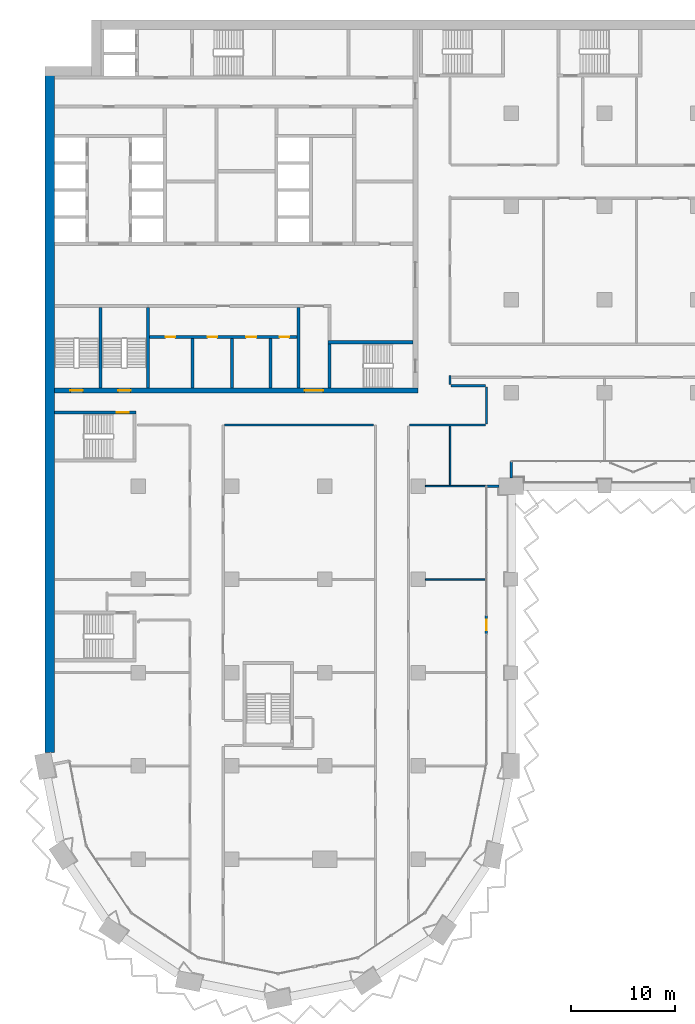
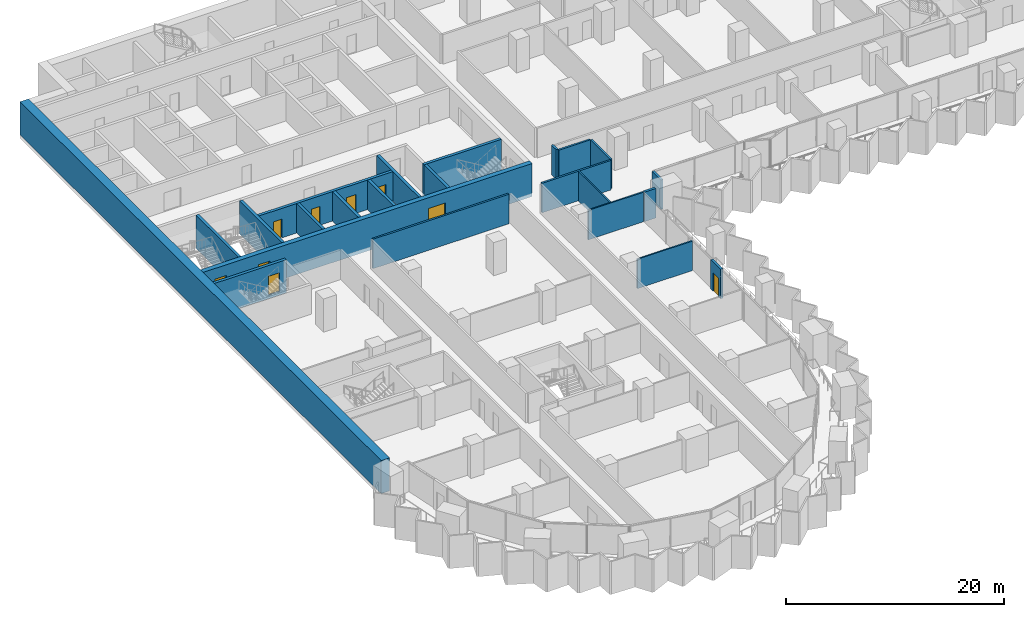
# One storey, part 12 of 28: 23 walls, 9 doors, 9 openings.
"""IFC4 building model written with IfcOpenShell, lengths in metres."""

import ifcopenshell
import ifcopenshell.guid

model = None  # the IFC model being written
_history = None  # IfcOwnerHistory: only IFC2X3 demands one
_inside = {}  # id of a spatial element -> (the spatial element, [elements in it])
_under = {}  # id of a project, library or spatial element -> (it, [spatial elements below it])
_declared = {}  # id of a project -> (the project, [libraries it declares])
_typed = {}  # id of a type object -> (the type object, [elements of that type])
_made_of = {}  # id of a material, layer set ... -> (it, [elements and type objects made of it])


def new_model(schema):
    """Start an empty IFC model of exactly this schema.

    Asked for "IFC4X3", IfcOpenShell would pick the latest addendum, in which some entities
    have other attributes; the version numbers below select the first issue.
    IFC2X3 requires an IfcOwnerHistory on every rooted entity: one is made here for all.
    """
    global model, _history
    if schema == "IFC4X3":
        model = ifcopenshell.file(schema_version=(4, 3, 0, 0))
    else:
        model = ifcopenshell.file(schema=schema)
    _inside.clear()
    _under.clear()
    _declared.clear()
    _typed.clear()
    _made_of.clear()
    _history = None
    if model.schema == "IFC2X3":
        org = make("IfcOrganization", Name="unknown")
        user = make(
            "IfcPersonAndOrganization",
            ThePerson=make("IfcPerson", FamilyName="unknown"),
            TheOrganization=org,
        )
        app = make(
            "IfcApplication",
            ApplicationDeveloper=org,
            Version="unknown",
            ApplicationFullName="unknown",
            ApplicationIdentifier="unknown",
        )
        _history = make(
            "IfcOwnerHistory",
            OwningUser=user,
            OwningApplication=app,
            ChangeAction="ADDED",
            CreationDate=0,
        )
    return model


def make(cls, **values):
    """One entity of the class cls with the attributes given. An attribute that is None is left unset."""
    return model.create_entity(
        cls, **{name: value for name, value in values.items() if value is not None}
    )


def rooted(cls, **values):
    """An entity with a GlobalId (a new one), such as an element, a storey or a relation."""
    return make(cls, GlobalId=ifcopenshell.guid.new(), OwnerHistory=_history, **values)


def si_unit(unit_type, name, prefix=None):
    """IfcSIUnit, for example si_unit("LENGTHUNIT", "METRE", prefix="MILLI")."""
    return make("IfcSIUnit", UnitType=unit_type, Prefix=prefix, Name=name)


def assignment(units):
    """IfcUnitAssignment: the units of a project."""
    return None if units is None else make("IfcUnitAssignment", Units=units)


def point(xyz):
    """IfcCartesianPoint."""
    return None if xyz is None else make("IfcCartesianPoint", Coordinates=xyz)


def direction(xyz):
    """IfcDirection."""
    return None if xyz is None else make("IfcDirection", DirectionRatios=xyz)


def frame(location, z_axis=None, x_axis=None):
    """IfcAxis2Placement3D, a coordinate frame: its origin and axes. An axis left out is left unset."""
    return make(
        "IfcAxis2Placement3D",
        Location=point(location),
        Axis=direction(z_axis),
        RefDirection=direction(x_axis),
    )


def frame_2d(location, x_axis=None):
    """IfcAxis2Placement2D, a coordinate frame in the plane: its origin and x axis."""
    return make(
        "IfcAxis2Placement2D", Location=point(location), RefDirection=direction(x_axis)
    )


def origin():
    """The frame at (0, 0, 0) with its axes left unset."""
    return frame((0.0, 0.0, 0.0))


def place(relative_to, where):
    """IfcLocalPlacement: puts the frame where relative to a parent placement (None: the world)."""
    return make(
        "IfcLocalPlacement", PlacementRelTo=relative_to, RelativePlacement=where
    )


def context(
    kind, dimensions, precision=None, world=None, true_north=None, identifier=None
):
    """IfcGeometricRepresentationContext, for example the 3D "Model" context."""
    return make(
        "IfcGeometricRepresentationContext",
        ContextIdentifier=identifier,
        ContextType=kind,
        CoordinateSpaceDimension=dimensions,
        Precision=precision,
        WorldCoordinateSystem=world,
        TrueNorth=true_north,
    )


def subcontext(parent, identifier, kind, view, scale=None):
    """IfcGeometricRepresentationSubContext, for example "Body" below "Model"."""
    return make(
        "IfcGeometricRepresentationSubContext",
        ContextIdentifier=identifier,
        ContextType=kind,
        ParentContext=parent,
        TargetScale=scale,
        TargetView=view,
    )


def project(units=None, contexts=None):
    """IfcProject with its units and contexts."""
    return rooted(
        "IfcProject",
        Name="project",
        RepresentationContexts=contexts,
        UnitsInContext=assignment(units),
    )


def spatial(cls, under=None, at=None, **own):
    """A site, building, storey or space (cls), placed at a placement, below another one or the project."""
    s = rooted(cls, ObjectPlacement=at, **own)
    if under is not None:
        _under.setdefault(under.id(), (under, []))[1].append(s)
    return s


def profile(cls, at=None, kind="AREA", **sizes):
    """A parametric profile (cls). Its sizes go by their IFC names, for example OverallWidth=200.0."""
    return make(cls, ProfileType=kind, Position=at, **sizes)


def rectangle(**sizes):
    """IfcRectangleProfileDef."""
    return profile("IfcRectangleProfileDef", **sizes)


def extrude(swept, where, along, depth):
    """IfcExtrudedAreaSolid: the profile swept, set in the frame where, extruded along a direction by depth."""
    return make(
        "IfcExtrudedAreaSolid",
        SweptArea=swept,
        Position=where,
        ExtrudedDirection=direction(along),
        Depth=depth,
    )


def shape(context_of_items, identifier, shape_type, items):
    """IfcShapeRepresentation: the items that make up one representation, for example the "Body"."""
    return make(
        "IfcShapeRepresentation",
        ContextOfItems=context_of_items,
        RepresentationIdentifier=identifier,
        RepresentationType=shape_type,
        Items=items,
    )


def material(Name=None, Category=None):
    """IfcMaterial."""
    return make("IfcMaterial", Name=Name, Category=Category)


def layer(
    of_material, thickness, ventilated=None, Name=None, Category=None, Priority=None
):
    """IfcMaterialLayer: one layer of a wall or slab, of a material (None: an air gap)."""
    return make(
        "IfcMaterialLayer",
        Material=of_material,
        LayerThickness=thickness,
        IsVentilated=ventilated,
        Name=Name,
        Category=Category,
        Priority=Priority,
    )


def layer_set(layers, Name=None):
    """IfcMaterialLayerSet."""
    return make("IfcMaterialLayerSet", MaterialLayers=layers, LayerSetName=Name)


def made_of(thing, what):
    """Note that an element or type object is made of a material, layer set ...; save() writes the relation."""
    if what is not None:
        _made_of.setdefault(what.id(), (what, []))[1].append(thing)
    return thing


def type_object(cls, material=None, **own):
    """A type object (cls), such as IfcWallType, which elements share."""
    return made_of(rooted(cls, **own), material)


def element(
    cls,
    number,
    at=None,
    inside=None,
    cuts=None,
    type_object=None,
    material=None,
    context=None,
    identifier="Body",
    shape_type=None,
    held_by="IfcProductDefinitionShape",
    body=None,
    shapes=None,
    **own,
):
    """One element of the class cls, such as IfcWall. Its Tag is "e" and its number.

    at: its placement. inside: the storey or other place that contains it. cuts: it is an
    opening in that element (IfcRelVoidsElement). A single representation is given by context,
    identifier, shape_type and body (its items); several are given by shapes. held_by: the class
    of the entity that holds the representations. save() writes the other relations.
    """
    e = rooted(cls, Tag="e%d" % number, ObjectPlacement=at, **own)
    if body is not None:
        shapes = [shape(context, identifier, shape_type, body)]
    if shapes is not None:
        e.Representation = make(held_by, Representations=shapes)
    if inside is not None:
        _inside.setdefault(inside.id(), (inside, []))[1].append(e)
    if cuts is not None:
        rooted(
            "IfcRelVoidsElement", RelatingBuildingElement=cuts, RelatedOpeningElement=e
        )
    if type_object is not None:
        _typed.setdefault(type_object.id(), (type_object, []))[1].append(e)
    return made_of(e, material)


def fill(opening, filler):
    """IfcRelFillsElement: the door or window that sits in an opening."""
    return rooted(
        "IfcRelFillsElement",
        RelatingOpeningElement=opening,
        RelatedBuildingElement=filler,
    )


def aggregate(whole, parts):
    """IfcRelAggregates: a whole, such as a stair, and the parts it consists of."""
    return rooted("IfcRelAggregates", RelatingObject=whole, RelatedObjects=parts)


def save(model, path):
    """Write the relations noted so far, then the file.

    IfcRelAggregates (storeys below a building ...), IfcRelContainedInSpatialStructure (elements
    in a storey), IfcRelDefinesByType, IfcRelAssociatesMaterial and IfcRelDeclares: one each for
    every whole, place, type object, material and project.
    """
    for whole, parts in _under.values():
        aggregate(whole, parts)
    for where, things in _inside.values():
        rooted(
            "IfcRelContainedInSpatialStructure",
            RelatedElements=things,
            RelatingStructure=where,
        )
    for kind, things in _typed.values():
        rooted("IfcRelDefinesByType", RelatedObjects=things, RelatingType=kind)
    for what, things in _made_of.values():
        rooted("IfcRelAssociatesMaterial", RelatedObjects=things, RelatingMaterial=what)
    for by, libraries in _declared.values():
        rooted("IfcRelDeclares", RelatingContext=by, RelatedDefinitions=libraries)
    model.write(path)


model = new_model("IFC4")

# Units and contexts
model_context = context("Model", 3, precision=1e-05, world=origin(), true_north=direction((0.0, 1.0)))
body_context = subcontext(model_context, "Body", "Model", "MODEL_VIEW")
ifc_project = project(units=[si_unit("LENGTHUNIT", "METRE"), si_unit("AREAUNIT", "SQUARE_METRE"), si_unit("VOLUMEUNIT", "CUBIC_METRE"), si_unit("PLANEANGLEUNIT", "RADIAN"), si_unit("MASSUNIT", "GRAM", prefix="KILO")], contexts=[model_context])

# Site, building, storey
site_placement = place(None, origin())
site = spatial("IfcSite", under=ifc_project, at=site_placement, CompositionType="ELEMENT")
building_placement = place(site_placement, origin())
building = spatial("IfcBuilding", under=site, at=building_placement, Name="Hunhe Ridgeline Campus", CompositionType="ELEMENT")
storey_placement = place(building_placement, frame((0.0, 0.0, 43.199951171875)))
storey = spatial("IfcBuildingStorey", under=building, at=storey_placement, Name="L09", CompositionType="ELEMENT", Elevation=43.199951171875)

# Wall, openings, doors
ifc_material_1 = material(Name="Masonry concrete blockwork", Category="masonry")
ifc_layer_1 = layer(ifc_material_1, 0.300048828125)
ifc_layer_set_1 = layer_set([ifc_layer_1], Name="Core room partition 300 concrete block")
wall_type_1 = type_object("IfcWallType", Name="Core room partition 300 concrete block", PredefinedType="PARTITIONING", material=ifc_layer_set_1)
wall_1_placement = place(storey_placement, frame((10.10009765625, 68.39990234375, 0.0), z_axis=(0.0, 0.0, 1.0), x_axis=(1.0, 0.0, 0.0)))
wall_1 = element("IfcWall", 1, at=wall_1_placement, inside=storey, type_object=wall_type_1, Name="L09 core partition 10", PredefinedType="PARTITIONING", context=body_context, shape_type="SweptSolid", body=[
    extrude(rectangle(XDim=14.199951171875, YDim=0.300048828125, at=frame_2d((7.10009765625, 0.0))), origin(), (0.0, 0.0, 1.0), 3.300048828125),
])
opening_1_placement = place(wall_1_placement, frame((1.550048828125, 0.0, 0.0)))
opening_1 = element("IfcOpeningElement", 2, at=opening_1_placement, cuts=wall_1, Name="Opening CD8", PredefinedType="OPENING", context=body_context, shape_type="SweptSolid", body=[
    extrude(rectangle(XDim=0.89990234375, YDim=2.10009765625, at=frame_2d((0.449951171875, 1.050048828125))), frame((0.0, 0.14990234375, 0.0), z_axis=(0.0, -1.0, 0.0), x_axis=(1.0, 0.0, 0.0)), (0.0, 0.0, 1.0), 0.300048828125),
])
opening_2_placement = place(wall_1_placement, frame((5.60009765625, 0.0, 0.0)))
opening_2 = element("IfcOpeningElement", 3, at=opening_2_placement, cuts=wall_1, Name="Opening CD9", PredefinedType="OPENING", context=body_context, shape_type="SweptSolid", body=[
    extrude(rectangle(XDim=0.89990234375, YDim=2.10009765625, at=frame_2d((0.449951171875, 1.050048828125))), frame((0.0, 0.14990234375, 0.0), z_axis=(0.0, -1.0, 0.0), x_axis=(1.0, 0.0, 0.0)), (0.0, 0.0, 1.0), 0.300048828125),
])
opening_3_placement = place(wall_1_placement, frame((9.300048828125, 0.0, 0.0)))
opening_3 = element("IfcOpeningElement", 4, at=opening_3_placement, cuts=wall_1, Name="Opening CD10", PredefinedType="OPENING", context=body_context, shape_type="SweptSolid", body=[
    extrude(rectangle(XDim=1.0, YDim=2.10009765625, at=frame_2d((0.5, 1.050048828125))), frame((0.0, 0.14990234375, 0.0), z_axis=(0.0, -1.0, 0.0), x_axis=(1.0, 0.0, 0.0)), (0.0, 0.0, 1.0), 0.300048828125),
])
opening_4_placement = place(wall_1_placement, frame((12.550048828125, 0.0, 0.0)))
opening_4 = element("IfcOpeningElement", 5, at=opening_4_placement, cuts=wall_1, Name="Opening CD11", PredefinedType="OPENING", context=body_context, shape_type="SweptSolid", body=[
    extrude(rectangle(XDim=0.89990234375, YDim=2.10009765625, at=frame_2d((0.449951171875, 1.050048828125))), frame((0.0, 0.14990234375, 0.0), z_axis=(0.0, -1.0, 0.0), x_axis=(1.0, 0.0, 0.0)), (0.0, 0.0, 1.0), 0.300048828125),
])
ifc_material_2 = material(Name="Solid core timber door leaf", Category="wood")
door_type_1 = type_object("IfcDoorType", Name="Timber door 1000x2100", OperationType="SINGLE_SWING_LEFT", PredefinedType="DOOR", material=ifc_material_2)
door_1_placement = place(opening_3_placement, frame((1.0, 0.0, 0.0), z_axis=(0.0, 0.0, 1.0), x_axis=(-1.0, 0.0, 0.0)))
door_1 = element("IfcDoor", 6, at=door_1_placement, inside=storey, type_object=door_type_1, Name="L09 door WC3", OperationType="SINGLE_SWING_RIGHT", OverallHeight=2.10009765625, OverallWidth=1.0, PredefinedType="DOOR", context=body_context, shape_type="SweptSolid", body=[
    extrude(rectangle(XDim=1.0, YDim=2.10009765625, at=frame_2d((0.5, 1.050048828125))), frame((0.0, 0.02490234375, 0.0), z_axis=(0.0, -1.0, 0.0), x_axis=(1.0, 0.0, 0.0)), (0.0, 0.0, 1.0), 0.050048828125),
])
fill(opening_3, door_1)
door_type_2 = type_object("IfcDoorType", Name="Timber door 900x2100", OperationType="SINGLE_SWING_LEFT", PredefinedType="DOOR", material=ifc_material_2)
door_2_placement = place(opening_1_placement, frame((0.89990234375, 0.0, 0.0), z_axis=(0.0, 0.0, 1.0), x_axis=(-1.0, 0.0, 0.0)))
door_2 = element("IfcDoor", 7, at=door_2_placement, inside=storey, type_object=door_type_2, Name="L09 door WC1", OperationType="SINGLE_SWING_RIGHT", OverallHeight=2.10009765625, OverallWidth=0.89990234375, PredefinedType="DOOR", context=body_context, shape_type="SweptSolid", body=[
    extrude(rectangle(XDim=0.89990234375, YDim=2.10009765625, at=frame_2d((0.449951171875, 1.050048828125))), frame((0.0, 0.02490234375, 0.0), z_axis=(0.0, -1.0, 0.0), x_axis=(1.0, 0.0, 0.0)), (0.0, 0.0, 1.0), 0.050048828125),
])
fill(opening_1, door_2)
door_3_placement = place(opening_2_placement, frame((0.89990234375, 0.0, 0.0), z_axis=(0.0, 0.0, 1.0), x_axis=(-1.0, 0.0, 0.0)))
door_3 = element("IfcDoor", 8, at=door_3_placement, inside=storey, type_object=door_type_2, Name="L09 door WC2", OperationType="SINGLE_SWING_LEFT", OverallHeight=2.10009765625, OverallWidth=0.89990234375, PredefinedType="DOOR", context=body_context, shape_type="SweptSolid", body=[
    extrude(rectangle(XDim=0.89990234375, YDim=2.10009765625, at=frame_2d((0.449951171875, 1.050048828125))), frame((0.0, 0.02490234375, 0.0), z_axis=(0.0, -1.0, 0.0), x_axis=(1.0, 0.0, 0.0)), (0.0, 0.0, 1.0), 0.050048828125),
])
fill(opening_2, door_3)
door_4_placement = place(opening_4_placement, frame((0.89990234375, 0.0, 0.0), z_axis=(0.0, 0.0, 1.0), x_axis=(-1.0, 0.0, 0.0)))
door_4 = element("IfcDoor", 9, at=door_4_placement, inside=storey, type_object=door_type_2, Name="L09 door WC4", OperationType="SINGLE_SWING_LEFT", OverallHeight=2.10009765625, OverallWidth=0.89990234375, PredefinedType="DOOR", context=body_context, shape_type="SweptSolid", body=[
    extrude(rectangle(XDim=0.89990234375, YDim=2.10009765625, at=frame_2d((0.449951171875, 1.050048828125))), frame((0.0, 0.02490234375, 0.0), z_axis=(0.0, -1.0, 0.0), x_axis=(1.0, 0.0, 0.0)), (0.0, 0.0, 1.0), 0.050048828125),
])
fill(opening_4, door_4)

# Walls
for number, where, z_axis, x_axis, name in (
    (10, (14.25, 63.5, 0.0), (0.0, 0.0, 1.0), (0.0, 1.0, 0.0), "L09 core partition 48"),
    (11, (18.050048828125, 63.5, 0.0), (0.0, 0.0, 1.0), (0.0, 1.0, 0.0), "L09 core partition 50"),
    (12, (21.75, 63.5, 0.0), (0.0, 0.0, 1.0), (0.0, 1.0, 0.0), "L09 core partition 52"),
):
    element("IfcWall", number, at=place(storey_placement, frame(where, z_axis=z_axis, x_axis=x_axis)), inside=storey, type_object=wall_type_1, Name=name, PredefinedType="PARTITIONING", context=body_context, shape_type="SweptSolid", body=[
        extrude(rectangle(XDim=4.75, YDim=0.300048828125, at=frame_2d((2.375, 0.0))), origin(), (0.0, 0.0, 1.0), 3.300048828125),
    ])
wall_2_placement = place(storey_placement, frame((24.449951171875, 63.5, 0.0), z_axis=(0.0, 0.0, 1.0), x_axis=(0.0, 1.0, 0.0)))
element("IfcWall", 13, at=wall_2_placement, inside=storey, type_object=wall_type_1, Name="L09 core partition 57", PredefinedType="PARTITIONING", context=body_context, shape_type="SweptSolid", body=[
    extrude(rectangle(XDim=7.75, YDim=0.300048828125, at=frame_2d((3.875, 0.0))), origin(), (0.0, 0.0, 1.0), 3.300048828125),
])

# Wall, openings, doors
ifc_material_3 = material(Name="Concrete C80", Category="concrete")
ifc_layer_2 = layer(ifc_material_3, 0.5)
ifc_layer_set_2 = layer_set([ifc_layer_2], Name="Core wall 500 reinforced concrete C80")
wall_type_2 = type_object("IfcWallType", Name="Core wall 500 reinforced concrete C80", PredefinedType="SOLIDWALL", material=ifc_layer_set_2)
wall_3_placement = place(storey_placement, frame((0.89990234375, 63.25, -0.39990234375), z_axis=(0.0, 0.0, 1.0), x_axis=(1.0, 0.0, 0.0)))
wall_3 = element("IfcWall", 14, at=wall_3_placement, inside=storey, type_object=wall_type_2, Name="L09 core wall 7", PredefinedType="SOLIDWALL", context=body_context, shape_type="SweptSolid", body=[
    extrude(rectangle(XDim=35.10009765625, YDim=0.5, at=frame_2d((17.550048828125, 0.0))), origin(), (0.0, 0.0, 1.0), 3.699951171875),
])
opening_5_placement = place(wall_3_placement, frame((24.14990234375, 0.0, 0.39990234375)))
opening_5 = element("IfcOpeningElement", 15, at=opening_5_placement, cuts=wall_3, Name="Opening CD6", PredefinedType="OPENING", context=body_context, shape_type="SweptSolid", body=[
    extrude(rectangle(XDim=1.800048828125, YDim=2.10009765625, at=frame_2d((0.89990234375, 1.050048828125))), frame((0.0, 0.25, 0.0), z_axis=(0.0, -1.0, 0.0), x_axis=(1.0, 0.0, 0.0)), (0.0, 0.0, 1.0), 0.5),
])
opening_6_placement = place(wall_3_placement, frame((1.550048828125, 0.0, 0.39990234375)))
opening_6 = element("IfcOpeningElement", 16, at=opening_6_placement, cuts=wall_3, Name="Opening CD13", PredefinedType="OPENING", context=body_context, shape_type="SweptSolid", body=[
    extrude(rectangle(XDim=1.199951171875, YDim=2.10009765625, at=frame_2d((0.60009765625, 1.050048828125))), frame((0.0, 0.25, 0.0), z_axis=(0.0, -1.0, 0.0), x_axis=(1.0, 0.0, 0.0)), (0.0, 0.0, 1.0), 0.5),
])
opening_7_placement = place(wall_3_placement, frame((6.14990234375, 0.0, 0.39990234375)))
opening_7 = element("IfcOpeningElement", 17, at=opening_7_placement, cuts=wall_3, Name="Opening CD14", PredefinedType="OPENING", context=body_context, shape_type="SweptSolid", body=[
    extrude(rectangle(XDim=1.199951171875, YDim=2.10009765625, at=frame_2d((0.60009765625, 1.050048828125))), frame((0.0, 0.25, 0.0), z_axis=(0.0, -1.0, 0.0), x_axis=(1.0, 0.0, 0.0)), (0.0, 0.0, 1.0), 0.5),
])
ifc_material_4 = material(Name="Anodised aluminium and glass", Category="aluminium")
door_type_3 = type_object("IfcDoorType", Name="Glazed double door 1800x2100", OperationType="DOUBLE_DOOR_SINGLE_SWING", PredefinedType="DOOR", material=ifc_material_4)
door_5_placement = place(opening_5_placement, frame((1.800048828125, 0.0, 0.0), z_axis=(0.0, 0.0, 1.0), x_axis=(-1.0, 0.0, 0.0)))
door_5 = element("IfcDoor", 18, at=door_5_placement, inside=storey, type_object=door_type_3, Name="L09 door VEST-FLOOR", OperationType="DOUBLE_DOOR_SINGLE_SWING", OverallHeight=2.10009765625, OverallWidth=1.800048828125, PredefinedType="DOOR", context=body_context, shape_type="SweptSolid", body=[
    extrude(rectangle(XDim=1.800048828125, YDim=2.10009765625, at=frame_2d((0.89990234375, 1.050048828125))), frame((0.0, 0.02490234375, 0.0), z_axis=(0.0, -1.0, 0.0), x_axis=(1.0, 0.0, 0.0)), (0.0, 0.0, 1.0), 0.050048828125),
])
fill(opening_5, door_5)
ifc_material_5 = material(Name="Hollow metal fire door leaf")
door_type_4 = type_object("IfcDoorType", Name="Stair door 1200x2100 FD60", OperationType="SINGLE_SWING_LEFT", PredefinedType="DOOR", material=ifc_material_5)
door_6_placement = place(opening_6_placement, frame((1.199951171875, 0.0, 0.0), z_axis=(0.0, 0.0, 1.0), x_axis=(-1.0, 0.0, 0.0)))
door_6 = element("IfcDoor", 19, at=door_6_placement, inside=storey, type_object=door_type_4, Name="L09 door S3", OperationType="SINGLE_SWING_RIGHT", OverallHeight=2.10009765625, OverallWidth=1.199951171875, PredefinedType="DOOR", context=body_context, shape_type="SweptSolid", body=[
    extrude(rectangle(XDim=1.199951171875, YDim=2.10009765625, at=frame_2d((0.60009765625, 1.050048828125))), frame((0.0, 0.02490234375, 0.0), z_axis=(0.0, -1.0, 0.0), x_axis=(1.0, 0.0, 0.0)), (0.0, 0.0, 1.0), 0.050048828125),
])
fill(opening_6, door_6)
door_7_placement = place(opening_7_placement, frame((1.199951171875, 0.0, 0.0), z_axis=(0.0, 0.0, 1.0), x_axis=(-1.0, 0.0, 0.0)))
door_7 = element("IfcDoor", 20, at=door_7_placement, inside=storey, type_object=door_type_4, Name="L09 door S4", OperationType="SINGLE_SWING_LEFT", OverallHeight=2.10009765625, OverallWidth=1.199951171875, PredefinedType="DOOR", context=body_context, shape_type="SweptSolid", body=[
    extrude(rectangle(XDim=1.199951171875, YDim=2.10009765625, at=frame_2d((0.60009765625, 1.050048828125))), frame((0.0, 0.02490234375, 0.0), z_axis=(0.0, -1.0, 0.0), x_axis=(1.0, 0.0, 0.0)), (0.0, 0.0, 1.0), 0.050048828125),
])
fill(opening_7, door_7)

# Walls
ifc_material_6 = material(Name="Concrete C30", Category="concrete")
ifc_layer_3 = layer(ifc_material_6, 0.25)
ifc_layer_set_3 = layer_set([ifc_layer_3], Name="Corner return wall 250 Concrete C30")
wall_type_3 = type_object("IfcWallType", Name="Corner return wall 250 Concrete C30", PredefinedType="SOLIDWALL", material=ifc_layer_set_3)
wall_4_placement = place(storey_placement, frame((42.59912109375, 54.0, 0.0), z_axis=(0.0, 0.0, 1.0), x_axis=(0.999999917344, 0.000406586671, 0.0)))
element("IfcWall", 21, at=wall_4_placement, inside=storey, type_object=wall_type_3, Name="Corner return wall 2", PredefinedType="SOLIDWALL", context=body_context, shape_type="SweptSolid", body=[
    extrude(rectangle(XDim=1.200927734375, YDim=0.25, at=frame_2d((0.6005859375, 0.0))), origin(), (0.0, 0.0, 1.0), 3.300048828125),
])
wall_5_placement = place(storey_placement, frame((44.999267578125, 54.800048828125, 0.0), z_axis=(0.0, 0.0, 1.0), x_axis=(0.000152508767, 0.999999988371, 0.0)))
element("IfcWall", 22, at=wall_5_placement, inside=storey, type_object=wall_type_3, Name="Corner return wall 3", PredefinedType="SOLIDWALL", context=body_context, shape_type="SweptSolid", body=[
    extrude(rectangle(XDim=1.600830078125, YDim=0.25, at=frame_2d((0.80029296875, 0.0))), origin(), (0.0, 0.0, 1.0), 3.300048828125),
])
ifc_material_7 = material(Name="Gypsum board partition")
ifc_layer_4 = layer(ifc_material_7, 0.199951171875)
ifc_layer_set_4 = layer_set([ifc_layer_4], Name="Corridor partition 200 gypsum board on steel studs")
wall_type_4 = type_object("IfcWallType", Name="Corridor partition 200 gypsum board on steel studs", PredefinedType="PARTITIONING", material=ifc_layer_set_4)
wall_6_placement = place(storey_placement, frame((31.6982421875, 59.89990234375, 0.0), z_axis=(0.0, 0.0, 1.0), x_axis=(-1.0, 0.0, 0.0)))
element("IfcWall", 23, at=wall_6_placement, inside=storey, type_object=wall_type_4, Name="F-L09-wall-029", PredefinedType="PARTITIONING", context=body_context, shape_type="SweptSolid", body=[
    extrude(rectangle(XDim=14.370361328125, YDim=0.199951171875, at=frame_2d((7.18505859375, 0.0))), origin(), (0.0, 0.0, 1.0), 3.300048828125),
])
wall_7_placement = place(storey_placement, frame((42.5, 59.89990234375, 0.0), z_axis=(0.0, 0.0, 1.0), x_axis=(-1.0, 0.0, 0.0)))
element("IfcWall", 24, at=wall_7_placement, inside=storey, type_object=wall_type_4, Name="F-L09-wall-030", PredefinedType="PARTITIONING", context=body_context, shape_type="SweptSolid", body=[
    extrude(rectangle(XDim=7.300048828125, YDim=0.199951171875, at=frame_2d((3.64990234375, 0.0))), origin(), (0.0, 0.0, 1.0), 3.300048828125),
])
wall_8_placement = place(storey_placement, frame((39.199951171875, 63.699951171875, 0.0), z_axis=(0.0, 0.0, 1.0), x_axis=(1.0, 0.0, 0.0)))
element("IfcWall", 25, at=wall_8_placement, inside=storey, type_object=wall_type_4, Name="F-L09-wall-033", PredefinedType="PARTITIONING", context=body_context, shape_type="SweptSolid", body=[
    extrude(rectangle(XDim=3.300048828125, YDim=0.199951171875, at=frame_2d((1.64990234375, 0.0))), origin(), (0.0, 0.0, 1.0), 3.300048828125),
])
wall_9_placement = place(storey_placement, frame((39.10009765625, 64.68994140625, 0.0), z_axis=(0.0, 0.0, 1.0), x_axis=(0.0, -1.0, 0.0)))
element("IfcWall", 26, at=wall_9_placement, inside=storey, type_object=wall_type_4, Name="F-L09-wall-054", PredefinedType="PARTITIONING", context=body_context, shape_type="SweptSolid", body=[
    extrude(rectangle(XDim=0.889892578125, YDim=0.199951171875, at=frame_2d((0.44482421875, 0.0))), origin(), (0.0, 0.0, 1.0), 3.300048828125),
])
wall_10_placement = place(storey_placement, frame((42.60009765625, 63.60009765625, 0.0), z_axis=(0.0, 0.0, 1.0), x_axis=(0.0, -1.0, 0.0)))
element("IfcWall", 27, at=wall_10_placement, inside=storey, type_object=wall_type_4, Name="F-L09-wall-057", PredefinedType="PARTITIONING", context=body_context, shape_type="SweptSolid", body=[
    extrude(rectangle(XDim=3.60009765625, YDim=0.199951171875, at=frame_2d((1.800048828125, 0.0))), origin(), (0.0, 0.0, 1.0), 3.300048828125),
])

# Wall, opening, door
ifc_layer_5 = layer(ifc_material_6, 0.25)
ifc_layer_set_5 = layer_set([ifc_layer_5], Name="Loggia door pier wall 250 Concrete C30")
wall_type_5 = type_object("IfcWallType", Name="Loggia door pier wall 250 Concrete C30", PredefinedType="SOLIDWALL", material=ifc_layer_set_5)
wall_11_placement = place(storey_placement, frame((42.59912109375, 39.71826171875, 0.0), z_axis=(0.0, 0.0, 1.0), x_axis=(0.0, 1.0, 0.0)))
wall_11 = element("IfcWall", 28, at=wall_11_placement, inside=storey, type_object=wall_type_5, Name="Loggia door pier 3", PredefinedType="SOLIDWALL", context=body_context, shape_type="SweptSolid", body=[
    extrude(rectangle(XDim=1.800048828125, YDim=0.25, at=frame_2d((0.89990234375, 0.0))), origin(), (0.0, 0.0, 1.0), 3.300048828125),
])
opening_8_placement = place(wall_11_placement, frame((0.39990234375, 0.0, 0.0)))
opening_8 = element("IfcOpeningElement", 29, at=opening_8_placement, cuts=wall_11, Name="Opening BD105", PredefinedType="OPENING", context=body_context, shape_type="SweptSolid", body=[
    extrude(rectangle(XDim=1.0, YDim=2.10009765625, at=frame_2d((0.5, 1.050048828125))), frame((0.0, 0.125, 0.0), z_axis=(0.0, -1.0, 0.0), x_axis=(1.0, 0.0, 0.0)), (0.0, 0.0, 1.0), 0.25),
])
ifc_material_8 = material(Name="Aluminium 6063", Category="aluminium")
door_type_5 = type_object("IfcDoorType", Name="Loggia glazed door 1000x2100", OperationType="NOTDEFINED", PredefinedType="DOOR", material=ifc_material_8)
door_8_placement = place(opening_8_placement, frame((1.0, 0.0, 0.0), z_axis=(0.0, 0.0, 1.0), x_axis=(-1.0, 0.0, 0.0)))
door_8 = element("IfcDoor", 30, at=door_8_placement, inside=storey, type_object=door_type_5, Name="Loggia door BD105", OperationType="SINGLE_SWING_RIGHT", OverallHeight=2.10009765625, OverallWidth=1.0, PredefinedType="DOOR", context=body_context, shape_type="SweptSolid", body=[
    extrude(rectangle(XDim=1.0, YDim=2.10009765625, at=frame_2d((0.5, 1.050048828125))), frame((0.0, 0.02490234375, 0.0), z_axis=(0.0, -1.0, 0.0), x_axis=(1.0, 0.0, 0.0)), (0.0, 0.0, 1.0), 0.050048828125),
])
fill(opening_8, door_8)

# Walls
ifc_layer_6 = layer(ifc_material_7, 0.14990234375)
ifc_layer_set_6 = layer_set([ifc_layer_6], Name="Room partition 150 gypsum board on steel studs")
wall_type_6 = type_object("IfcWallType", Name="Room partition 150 gypsum board on steel studs", PredefinedType="PARTITIONING", material=ifc_layer_set_6)
for number, where, z_axis, x_axis, name in (
    (31, (36.699951171875, 45.0, 0.0), (0.0, 0.0, 1.0), (1.0, 0.0, 0.0), "F-L09-wall-026"),
    (32, (36.699951171875, 54.0, 0.0), (0.0, 0.0, 1.0), (1.0, 0.0, 0.0), "F-L09-wall-027"),
):
    element("IfcWall", number, at=place(storey_placement, frame(where, z_axis=z_axis, x_axis=x_axis)), inside=storey, type_object=wall_type_6, Name=name, PredefinedType="PARTITIONING", context=body_context, shape_type="SweptSolid", body=[
        extrude(rectangle(XDim=5.844970703125, YDim=0.14990234375, at=frame_2d((2.92236328125, 0.0))), origin(), (0.0, 0.0, 1.0), 3.300048828125),
    ])
wall_12_placement = place(storey_placement, frame((39.10009765625, 59.800048828125, 0.0), z_axis=(0.0, 0.0, 1.0), x_axis=(0.0, -1.0, 0.0)))
element("IfcWall", 33, at=wall_12_placement, inside=storey, type_object=wall_type_6, Name="F-L09-wall-053", PredefinedType="PARTITIONING", context=body_context, shape_type="SweptSolid", body=[
    extrude(rectangle(XDim=5.72509765625, YDim=0.14990234375, at=frame_2d((2.862548828125, 0.0))), origin(), (0.0, 0.0, 1.0), 3.300048828125),
])
ifc_layer_7 = layer(ifc_material_3, 0.89990234375)
ifc_layer_set_7 = layer_set([ifc_layer_7], Name="Spine wall 900 Concrete C80")
wall_type_7 = type_object("IfcWallType", Name="Spine wall 900 Concrete C80", PredefinedType="SHEAR", material=ifc_layer_set_7)
wall_13_placement = place(storey_placement, frame((0.449951171875, 94.5, 0.0), z_axis=(0.0, 0.0, 1.0), x_axis=(0.0, -1.0, 0.0)))
element("IfcWall", 34, at=wall_13_placement, inside=storey, type_object=wall_type_7, Name="Spine wall SW1-1 L09", PredefinedType="SHEAR", context=body_context, shape_type="SweptSolid", body=[
    extrude(rectangle(XDim=66.18701171875, YDim=0.89990234375, at=frame_2d((33.093505859375, 0.0))), origin(), (0.0, 0.0, 1.0), 3.699951171875),
])

# Wall, opening, door
ifc_layer_8 = layer(ifc_material_3, 0.300048828125)
ifc_layer_set_8 = layer_set([ifc_layer_8], Name="Stair wall 300 reinforced concrete C80")
wall_type_8 = type_object("IfcWallType", Name="Stair wall 300 reinforced concrete C80", PredefinedType="SOLIDWALL", material=ifc_layer_set_8)
wall_14_placement = place(storey_placement, frame((0.89990234375, 61.10009765625, -0.39990234375), z_axis=(0.0, 0.0, 1.0), x_axis=(1.0, 0.0, 0.0)))
wall_14 = element("IfcWall", 35, at=wall_14_placement, inside=storey, type_object=wall_type_8, Name="L09 core wall 6", PredefinedType="SOLIDWALL", context=body_context, shape_type="SweptSolid", body=[
    extrude(rectangle(XDim=7.900146484375, YDim=0.300048828125, at=frame_2d((3.9501953125, 0.0))), origin(), (0.0, 0.0, 1.0), 3.699951171875),
])
opening_9_placement = place(wall_14_placement, frame((6.0, 0.0, 0.39990234375)))
opening_9 = element("IfcOpeningElement", 36, at=opening_9_placement, cuts=wall_14, Name="Opening CD22", PredefinedType="OPENING", context=body_context, shape_type="SweptSolid", body=[
    extrude(rectangle(XDim=1.199951171875, YDim=2.10009765625, at=frame_2d((0.60009765625, 1.050048828125))), frame((0.0, 0.14990234375, 0.0), z_axis=(0.0, -1.0, 0.0), x_axis=(1.0, 0.0, 0.0)), (0.0, 0.0, 1.0), 0.300048828125),
])
door_9_placement = place(opening_9_placement, origin())
door_9 = element("IfcDoor", 37, at=door_9_placement, inside=storey, type_object=door_type_4, Name="L09 door W2", OperationType="SINGLE_SWING_RIGHT", OverallHeight=2.10009765625, OverallWidth=1.199951171875, PredefinedType="DOOR", context=body_context, shape_type="SweptSolid", body=[
    extrude(rectangle(XDim=1.199951171875, YDim=2.10009765625, at=frame_2d((0.60009765625, 1.050048828125))), frame((0.0, 0.02490234375, 0.0), z_axis=(0.0, -1.0, 0.0), x_axis=(1.0, 0.0, 0.0)), (0.0, 0.0, 1.0), 0.050048828125),
])
fill(opening_9, door_9)

# Walls
wall_15_placement = place(storey_placement, frame((27.300048828125, 67.89990234375, -0.39990234375), z_axis=(0.0, 0.0, 1.0), x_axis=(1.0, 0.0, 0.0)))
element("IfcWall", 38, at=wall_15_placement, inside=storey, type_object=wall_type_8, Name="L09 core wall 9", PredefinedType="SOLIDWALL", context=body_context, shape_type="SweptSolid", body=[
    extrude(rectangle(XDim=8.199951171875, YDim=0.300048828125, at=frame_2d((4.10009765625, 0.0))), origin(), (0.0, 0.0, 1.0), 3.699951171875),
])
for number, where, z_axis, x_axis, name in (
    (39, (5.35009765625, 63.5, -0.39990234375), (0.0, 0.0, 1.0), (0.0, 1.0, 0.0), "L09 core wall 38"),
    (40, (9.949951171875, 63.5, -0.39990234375), (0.0, 0.0, 1.0), (0.0, 1.0, 0.0), "L09 core wall 44"),
):
    element("IfcWall", number, at=place(storey_placement, frame(where, z_axis=z_axis, x_axis=x_axis)), inside=storey, type_object=wall_type_8, Name=name, PredefinedType="SOLIDWALL", context=body_context, shape_type="SweptSolid", body=[
        extrude(rectangle(XDim=7.75, YDim=0.300048828125, at=frame_2d((3.875, 0.0))), origin(), (0.0, 0.0, 1.0), 3.699951171875),
    ])
wall_16_placement = place(storey_placement, frame((27.449951171875, 63.5, -0.39990234375), z_axis=(0.0, 0.0, 1.0), x_axis=(0.0, 1.0, 0.0)))
element("IfcWall", 41, at=wall_16_placement, inside=storey, type_object=wall_type_8, Name="L09 core wall 59", PredefinedType="SOLIDWALL", context=body_context, shape_type="SweptSolid", body=[
    extrude(rectangle(XDim=4.25, YDim=0.300048828125, at=frame_2d((2.125, 0.0))), origin(), (0.0, 0.0, 1.0), 3.699951171875),
])

save(model, "model.ifc")
